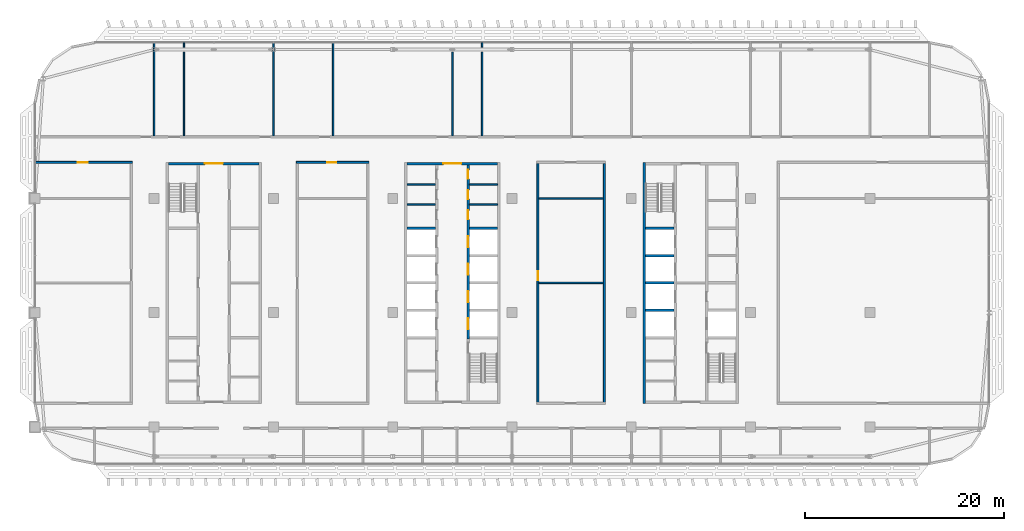
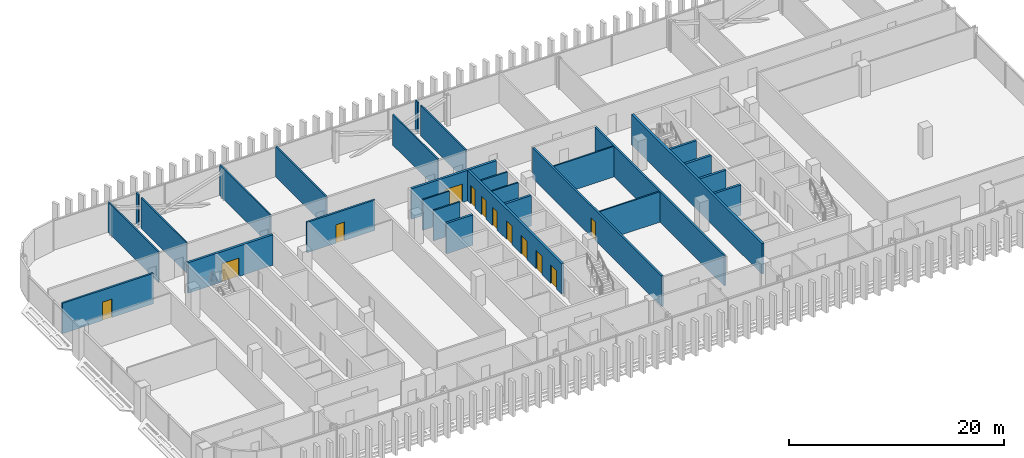
# One storey, part 19 of 34: 28 walls, 12 doors, 12 openings.
"""IFC4 building model written with IfcOpenShell, lengths in metres."""

from ifc_helpers import new_model, si_unit, direction, frame, frame_2d, origin, place, context, subcontext, project, spatial, rectangle, extrude, material, layer, layer_set, type_object, element, fill, save


model = new_model("IFC4")

# Units and contexts
model_context = context("Model", 3, precision=1e-05, world=origin(), true_north=direction((0.0, 1.0)))
body_context = subcontext(model_context, "Body", "Model", "MODEL_VIEW")
ifc_project = project(units=[si_unit("LENGTHUNIT", "METRE"), si_unit("AREAUNIT", "SQUARE_METRE"), si_unit("VOLUMEUNIT", "CUBIC_METRE"), si_unit("PLANEANGLEUNIT", "RADIAN"), si_unit("MASSUNIT", "GRAM", prefix="KILO")], contexts=[model_context])

# Site, building, storey
site_placement = place(None, origin())
site = spatial("IfcSite", under=ifc_project, at=site_placement, CompositionType="ELEMENT")
building_placement = place(site_placement, origin())
building = spatial("IfcBuilding", under=site, at=building_placement, Name="Mahtab Terrace Research Tower", CompositionType="ELEMENT")
storey_placement = place(building_placement, frame((0.0, 0.0, 247.60009765625)))
storey = spatial("IfcBuildingStorey", under=building, at=storey_placement, Name="L60", CompositionType="ELEMENT", Elevation=247.60009765625)

# Walls
ifc_material_1 = material(Name="Gypsum board partition")
ifc_layer_1 = layer(ifc_material_1, 0.14990234375)
ifc_layer_set_1 = layer_set([ifc_layer_1], Name="Core partition 150")
wall_type_1 = type_object("IfcWallType", Name="Core partition 150", PredefinedType="PARTITIONING", material=ifc_layer_set_1)
for number, where, z_axis, x_axis, name in (
    (1, (-4.550048828125, 10.875, 0.0), (0.0, 0.0, 1.0), (1.0, 0.0, 0.0), "Core wall B pWN788"),
    (2, (-4.550048828125, 12.875, 0.0), (0.0, 0.0, 1.0), (1.0, 0.0, 0.0), "Core wall B pWN988"),
    (3, (1.699951171875, 10.875, 0.0), (0.0, 0.0, 1.0), (1.0, 0.0, 0.0), "Core wall B pEN788"),
    (4, (1.699951171875, 12.875, 0.0), (0.0, 0.0, 1.0), (1.0, 0.0, 0.0), "Core wall B pEN988"),
):
    element("IfcWall", number, at=place(storey_placement, frame(where, z_axis=z_axis, x_axis=x_axis)), inside=storey, type_object=wall_type_1, Name=name, PredefinedType="PARTITIONING", context=body_context, shape_type="SweptSolid", body=[
        extrude(rectangle(XDim=2.85009765625, YDim=0.14990234375, at=frame_2d((1.425048828125, 0.0))), origin(), (0.0, 0.0, 1.0), 3.4599609375),
    ])

# Wall, opening, door
ifc_material_2 = material(Name="Concrete C70/85", Category="concrete")
ifc_layer_2 = layer(ifc_material_2, 0.25)
ifc_layer_set_2 = layer_set([ifc_layer_2], Name="Core wall 250")
wall_type_2 = type_object("IfcWallType", Name="Core wall 250", PredefinedType="SOLIDWALL", material=ifc_layer_set_2)
wall_1_placement = place(storey_placement, frame((-28.550048828125, 15.0, 0.0), z_axis=(0.0, 0.0, 1.0), x_axis=(1.0, 0.0, 0.0)))
wall_1 = element("IfcWall", 5, at=wall_1_placement, inside=storey, type_object=wall_type_2, Name="Core wall A endN", PredefinedType="SOLIDWALL", context=body_context, shape_type="SweptSolid", body=[
    extrude(rectangle(XDim=9.10009765625, YDim=0.25, at=frame_2d((4.550048828125, 0.0))), origin(), (0.0, 0.0, 1.0), 3.4599609375),
])
opening_1_placement = place(wall_1_placement, frame((3.64990234375, 0.0, 0.0)))
opening_1 = element("IfcOpeningElement", 6, at=opening_1_placement, cuts=wall_1, Name="Opening A-N1", PredefinedType="OPENING", context=body_context, shape_type="SweptSolid", body=[
    extrude(rectangle(XDim=1.800048828125, YDim=2.10009765625, at=frame_2d((0.89990234375, 1.050048828125))), frame((0.0, 0.135009765625, 0.0), z_axis=(0.0, -1.0, 0.0), x_axis=(1.0, 0.0, 0.0)), (0.0, 0.0, 1.0), 0.27001953125),
])
ifc_material_3 = material(Name="Steel fire door", Category="steel")
door_type_1 = type_object("IfcDoorType", Name="Lobby double door 1800x2100 1 HR", OperationType="DOUBLE_DOOR_SINGLE_SWING", PredefinedType="DOOR", material=ifc_material_3)
door_1_placement = place(opening_1_placement, origin())
door_1 = element("IfcDoor", 7, at=door_1_placement, inside=storey, type_object=door_type_1, Name="Core entrance door A N", OperationType="DOUBLE_DOOR_SINGLE_SWING", OverallHeight=2.10009765625, OverallWidth=1.800048828125, PredefinedType="DOOR", context=body_context, shape_type="SweptSolid", body=[
    extrude(rectangle(XDim=1.800048828125, YDim=2.10009765625, at=frame_2d((0.89990234375, 1.050048828125))), frame((0.0, 0.02490234375, 0.0), z_axis=(0.0, -1.0, 0.0), x_axis=(1.0, 0.0, 0.0)), (0.0, 0.0, 1.0), 0.050048828125),
])
fill(opening_1, door_1)

wall_2_placement = place(storey_placement, frame((-4.550048828125, 15.0, 0.0), z_axis=(0.0, 0.0, 1.0), x_axis=(1.0, 0.0, 0.0)))
wall_2 = element("IfcWall", 8, at=wall_2_placement, inside=storey, type_object=wall_type_2, Name="Core wall B endN", PredefinedType="SOLIDWALL", context=body_context, shape_type="SweptSolid", body=[
    extrude(rectangle(XDim=9.10009765625, YDim=0.25, at=frame_2d((4.550048828125, 0.0))), origin(), (0.0, 0.0, 1.0), 3.4599609375),
])
opening_2_placement = place(wall_2_placement, frame((3.64990234375, 0.0, 0.0)))
opening_2 = element("IfcOpeningElement", 9, at=opening_2_placement, cuts=wall_2, Name="Opening B-N1", PredefinedType="OPENING", context=body_context, shape_type="SweptSolid", body=[
    extrude(rectangle(XDim=1.800048828125, YDim=2.10009765625, at=frame_2d((0.89990234375, 1.050048828125))), frame((0.0, 0.135009765625, 0.0), z_axis=(0.0, -1.0, 0.0), x_axis=(1.0, 0.0, 0.0)), (0.0, 0.0, 1.0), 0.27001953125),
])
door_2_placement = place(opening_2_placement, origin())
door_2 = element("IfcDoor", 10, at=door_2_placement, inside=storey, type_object=door_type_1, Name="Core entrance door B N", OperationType="DOUBLE_DOOR_SINGLE_SWING", OverallHeight=2.10009765625, OverallWidth=1.800048828125, PredefinedType="DOOR", context=body_context, shape_type="SweptSolid", body=[
    extrude(rectangle(XDim=1.800048828125, YDim=2.10009765625, at=frame_2d((0.89990234375, 1.050048828125))), frame((0.0, 0.02490234375, 0.0), z_axis=(0.0, -1.0, 0.0), x_axis=(1.0, 0.0, 0.0)), (0.0, 0.0, 1.0), 0.050048828125),
])
fill(opening_2, door_2)

# Wall, openings, doors
wall_3_placement = place(storey_placement, frame((1.574951171875, 14.875, 0.0), z_axis=(0.0, 0.0, 1.0), x_axis=(0.0, -1.0, 0.0)))
wall_3 = element("IfcWall", 11, at=wall_3_placement, inside=storey, type_object=wall_type_2, Name="Core wall B innerELN", PredefinedType="SOLIDWALL", context=body_context, shape_type="SweptSolid", body=[
    extrude(rectangle(XDim=17.5, YDim=0.25, at=frame_2d((8.75, 0.0))), origin(), (0.0, 0.0, 1.0), 3.4599609375),
])
opening_3_placement = place(wall_3_placement, frame((15.449951171875, 0.0, 0.0)))
opening_3 = element("IfcOpeningElement", 12, at=opening_3_placement, cuts=wall_3, Name="Opening LD13-L60", PredefinedType="OPENING", context=body_context, shape_type="SweptSolid", body=[
    extrude(rectangle(XDim=1.10009765625, YDim=2.10009765625, at=frame_2d((0.550048828125, 1.050048828125))), frame((0.0, 0.135009765625, 0.0), z_axis=(0.0, -1.0, 0.0), x_axis=(1.0, 0.0, 0.0)), (0.0, 0.0, 1.0), 0.27001953125),
])
opening_4_placement = place(wall_3_placement, frame((12.699951171875, 0.0, 0.0)))
opening_4 = element("IfcOpeningElement", 13, at=opening_4_placement, cuts=wall_3, Name="Opening LD14-L60", PredefinedType="OPENING", context=body_context, shape_type="SweptSolid", body=[
    extrude(rectangle(XDim=1.10009765625, YDim=2.10009765625, at=frame_2d((0.550048828125, 1.050048828125))), frame((0.0, 0.135009765625, 0.0), z_axis=(0.0, -1.0, 0.0), x_axis=(1.0, 0.0, 0.0)), (0.0, 0.0, 1.0), 0.27001953125),
])
opening_5_placement = place(wall_3_placement, frame((9.949951171875, 0.0, 0.0)))
opening_5 = element("IfcOpeningElement", 14, at=opening_5_placement, cuts=wall_3, Name="Opening LD15-L60", PredefinedType="OPENING", context=body_context, shape_type="SweptSolid", body=[
    extrude(rectangle(XDim=1.10009765625, YDim=2.10009765625, at=frame_2d((0.550048828125, 1.050048828125))), frame((0.0, 0.135009765625, 0.0), z_axis=(0.0, -1.0, 0.0), x_axis=(1.0, 0.0, 0.0)), (0.0, 0.0, 1.0), 0.27001953125),
])
opening_6_placement = place(wall_3_placement, frame((7.199951171875, 0.0, 0.0)))
opening_6 = element("IfcOpeningElement", 15, at=opening_6_placement, cuts=wall_3, Name="Opening LD16-L60", PredefinedType="OPENING", context=body_context, shape_type="SweptSolid", body=[
    extrude(rectangle(XDim=1.10009765625, YDim=2.10009765625, at=frame_2d((0.550048828125, 1.050048828125))), frame((0.0, 0.135009765625, 0.0), z_axis=(0.0, -1.0, 0.0), x_axis=(1.0, 0.0, 0.0)), (0.0, 0.0, 1.0), 0.27001953125),
])
opening_7_placement = place(wall_3_placement, frame((4.58740234375, 0.0, 0.0)))
opening_7 = element("IfcOpeningElement", 16, at=opening_7_placement, cuts=wall_3, Name="Opening B-R6", PredefinedType="OPENING", context=body_context, shape_type="SweptSolid", body=[
    extrude(rectangle(XDim=0.89990234375, YDim=2.10009765625, at=frame_2d((0.449951171875, 1.050048828125))), frame((0.0, 0.135009765625, 0.0), z_axis=(0.0, -1.0, 0.0), x_axis=(1.0, 0.0, 0.0)), (0.0, 0.0, 1.0), 0.27001953125),
])
opening_8_placement = place(wall_3_placement, frame((2.550048828125, 0.0, 0.0)))
opening_8 = element("IfcOpeningElement", 17, at=opening_8_placement, cuts=wall_3, Name="Opening B-R7", PredefinedType="OPENING", context=body_context, shape_type="SweptSolid", body=[
    extrude(rectangle(XDim=0.89990234375, YDim=2.10009765625, at=frame_2d((0.449951171875, 1.050048828125))), frame((0.0, 0.135009765625, 0.0), z_axis=(0.0, -1.0, 0.0), x_axis=(1.0, 0.0, 0.0)), (0.0, 0.0, 1.0), 0.27001953125),
])
opening_9_placement = place(wall_3_placement, frame((0.512451171875, 0.0, 0.0)))
opening_9 = element("IfcOpeningElement", 18, at=opening_9_placement, cuts=wall_3, Name="Opening B-R8", PredefinedType="OPENING", context=body_context, shape_type="SweptSolid", body=[
    extrude(rectangle(XDim=0.89990234375, YDim=2.10009765625, at=frame_2d((0.449951171875, 1.050048828125))), frame((0.0, 0.135009765625, 0.0), z_axis=(0.0, -1.0, 0.0), x_axis=(1.0, 0.0, 0.0)), (0.0, 0.0, 1.0), 0.27001953125),
])
ifc_material_4 = material(Name="Stainless steel AISI 304", Category="steel")
door_type_2 = type_object("IfcDoorType", Name="Landing door 1100x2100", OperationType="DOUBLE_DOOR_SLIDING", PredefinedType="DOOR", material=ifc_material_4)
door_3_placement = place(opening_3_placement, origin())
door_3 = element("IfcDoor", 19, at=door_3_placement, inside=storey, type_object=door_type_2, Name="Landing door HR5 L60", OperationType="DOUBLE_DOOR_SLIDING", OverallHeight=2.10009765625, OverallWidth=1.10009765625, PredefinedType="DOOR", context=body_context, shape_type="SweptSolid", body=[
    extrude(rectangle(XDim=1.10009765625, YDim=2.10009765625, at=frame_2d((0.550048828125, 1.050048828125))), frame((0.0, 0.02490234375, 0.0), z_axis=(0.0, -1.0, 0.0), x_axis=(1.0, 0.0, 0.0)), (0.0, 0.0, 1.0), 0.050048828125),
])
fill(opening_3, door_3)
door_4_placement = place(opening_4_placement, origin())
door_4 = element("IfcDoor", 20, at=door_4_placement, inside=storey, type_object=door_type_2, Name="Landing door HR6 L60", OperationType="DOUBLE_DOOR_SLIDING", OverallHeight=2.10009765625, OverallWidth=1.10009765625, PredefinedType="DOOR", context=body_context, shape_type="SweptSolid", body=[
    extrude(rectangle(XDim=1.10009765625, YDim=2.10009765625, at=frame_2d((0.550048828125, 1.050048828125))), frame((0.0, 0.02490234375, 0.0), z_axis=(0.0, -1.0, 0.0), x_axis=(1.0, 0.0, 0.0)), (0.0, 0.0, 1.0), 0.050048828125),
])
fill(opening_4, door_4)
door_5_placement = place(opening_5_placement, origin())
door_5 = element("IfcDoor", 21, at=door_5_placement, inside=storey, type_object=door_type_2, Name="Landing door HR7 L60", OperationType="DOUBLE_DOOR_SLIDING", OverallHeight=2.10009765625, OverallWidth=1.10009765625, PredefinedType="DOOR", context=body_context, shape_type="SweptSolid", body=[
    extrude(rectangle(XDim=1.10009765625, YDim=2.10009765625, at=frame_2d((0.550048828125, 1.050048828125))), frame((0.0, 0.02490234375, 0.0), z_axis=(0.0, -1.0, 0.0), x_axis=(1.0, 0.0, 0.0)), (0.0, 0.0, 1.0), 0.050048828125),
])
fill(opening_5, door_5)
door_6_placement = place(opening_6_placement, origin())
door_6 = element("IfcDoor", 22, at=door_6_placement, inside=storey, type_object=door_type_2, Name="Landing door HR8 L60", OperationType="DOUBLE_DOOR_SLIDING", OverallHeight=2.10009765625, OverallWidth=1.10009765625, PredefinedType="DOOR", context=body_context, shape_type="SweptSolid", body=[
    extrude(rectangle(XDim=1.10009765625, YDim=2.10009765625, at=frame_2d((0.550048828125, 1.050048828125))), frame((0.0, 0.02490234375, 0.0), z_axis=(0.0, -1.0, 0.0), x_axis=(1.0, 0.0, 0.0)), (0.0, 0.0, 1.0), 0.050048828125),
])
fill(opening_6, door_6)
door_type_3 = type_object("IfcDoorType", Name="Room door 900x2100 1 HR", OperationType="NOTDEFINED", PredefinedType="DOOR", material=ifc_material_3)
door_7_placement = place(opening_7_placement, origin())
door_7 = element("IfcDoor", 23, at=door_7_placement, inside=storey, type_object=door_type_3, Name="Male WC door", OperationType="SINGLE_SWING_RIGHT", OverallHeight=2.10009765625, OverallWidth=0.89990234375, PredefinedType="DOOR", context=body_context, shape_type="SweptSolid", body=[
    extrude(rectangle(XDim=0.89990234375, YDim=2.10009765625, at=frame_2d((0.449951171875, 1.050048828125))), frame((0.0, 0.02490234375, 0.0), z_axis=(0.0, -1.0, 0.0), x_axis=(1.0, 0.0, 0.0)), (0.0, 0.0, 1.0), 0.050048828125),
])
fill(opening_7, door_7)
door_8_placement = place(opening_8_placement, origin())
door_8 = element("IfcDoor", 24, at=door_8_placement, inside=storey, type_object=door_type_3, Name="Female WC door", OperationType="SINGLE_SWING_LEFT", OverallHeight=2.10009765625, OverallWidth=0.89990234375, PredefinedType="DOOR", context=body_context, shape_type="SweptSolid", body=[
    extrude(rectangle(XDim=0.89990234375, YDim=2.10009765625, at=frame_2d((0.449951171875, 1.050048828125))), frame((0.0, 0.02490234375, 0.0), z_axis=(0.0, -1.0, 0.0), x_axis=(1.0, 0.0, 0.0)), (0.0, 0.0, 1.0), 0.050048828125),
])
fill(opening_8, door_8)
door_9_placement = place(opening_9_placement, origin())
door_9 = element("IfcDoor", 25, at=door_9_placement, inside=storey, type_object=door_type_3, Name="Accessible WC door", OperationType="SINGLE_SWING_RIGHT", OverallHeight=2.10009765625, OverallWidth=0.89990234375, PredefinedType="DOOR", context=body_context, shape_type="SweptSolid", body=[
    extrude(rectangle(XDim=0.89990234375, YDim=2.10009765625, at=frame_2d((0.449951171875, 1.050048828125))), frame((0.0, 0.02490234375, 0.0), z_axis=(0.0, -1.0, 0.0), x_axis=(1.0, 0.0, 0.0)), (0.0, 0.0, 1.0), 0.050048828125),
])
fill(opening_9, door_9)

# Walls
for number, where, z_axis, x_axis, name in (
    (26, (-4.550048828125, 8.5, 0.0), (0.0, 0.0, 1.0), (1.0, 0.0, 0.0), "Core wall B divW4"),
    (27, (1.699951171875, 8.5, 0.0), (0.0, 0.0, 1.0), (1.0, 0.0, 0.0), "Core wall B divE4"),
):
    element("IfcWall", number, at=place(storey_placement, frame(where, z_axis=z_axis, x_axis=x_axis)), inside=storey, type_object=wall_type_2, Name=name, PredefinedType="SOLIDWALL", context=body_context, shape_type="SweptSolid", body=[
        extrude(rectangle(XDim=2.85009765625, YDim=0.25, at=frame_2d((1.425048828125, 0.0))), origin(), (0.0, 0.0, 1.0), 3.4599609375),
    ])
wall_4_placement = place(storey_placement, frame((19.324951171875, 15.125, 0.0), z_axis=(0.0, 0.0, 1.0), x_axis=(0.0, -1.0, 0.0)))
element("IfcWall", 28, at=wall_4_placement, inside=storey, type_object=wall_type_2, Name="Core wall C outerW", PredefinedType="SOLIDWALL", context=body_context, shape_type="SweptSolid", body=[
    extrude(rectangle(XDim=24.25, YDim=0.25, at=frame_2d((12.125, 0.0))), origin(), (0.0, 0.0, 1.0), 3.4599609375),
])
for number, where, z_axis, x_axis, name in (
    (29, (19.449951171875, 0.25, 0.0), (0.0, 0.0, 1.0), (1.0, 0.0, 0.0), "Core wall C divW1"),
    (30, (19.449951171875, 3.0, 0.0), (0.0, 0.0, 1.0), (1.0, 0.0, 0.0), "Core wall C divW2"),
    (31, (19.449951171875, 5.75, 0.0), (0.0, 0.0, 1.0), (1.0, 0.0, 0.0), "Core wall C divW3"),
    (32, (19.449951171875, 8.5, 0.0), (0.0, 0.0, 1.0), (1.0, 0.0, 0.0), "Core wall C divW4"),
):
    element("IfcWall", number, at=place(storey_placement, frame(where, z_axis=z_axis, x_axis=x_axis)), inside=storey, type_object=wall_type_2, Name=name, PredefinedType="SOLIDWALL", context=body_context, shape_type="SweptSolid", body=[
        extrude(rectangle(XDim=2.85009765625, YDim=0.25, at=frame_2d((1.425048828125, 0.0))), origin(), (0.0, 0.0, 1.0), 3.4599609375),
    ])

# Wall, opening, door
ifc_material_5 = material(Name="Gypsum board corridor wall on steel studs", Category="steel")
ifc_layer_3 = layer(ifc_material_5, 0.199951171875)
ifc_layer_set_3 = layer_set([ifc_layer_3], Name="WALL CORRIDOR 200")
wall_type_3 = type_object("IfcWallType", Name="WALL CORRIDOR 200", PredefinedType="PARTITIONING", material=ifc_layer_set_3)
wall_5_placement = place(storey_placement, frame((-41.97509765625, 15.125, 0.0), z_axis=(0.0, 0.0, 1.0), x_axis=(1.0, 0.0, 0.0)))
wall_5 = element("IfcWall", 33, at=wall_5_placement, inside=storey, type_object=wall_type_3, Name="L60-W021", PredefinedType="PARTITIONING", context=body_context, shape_type="SweptSolid", body=[
    extrude(rectangle(XDim=9.775146484375, YDim=0.199951171875, at=frame_2d((4.8876953125, 0.0))), origin(), (0.0, 0.0, 1.0), 3.4599609375),
])
opening_10_placement = place(wall_5_placement, frame((4.300048828125, 0.0, 0.0)))
opening_10 = element("IfcOpeningElement", 34, at=opening_10_placement, cuts=wall_5, Name="Opening L60-123", PredefinedType="OPENING", context=body_context, shape_type="SweptSolid", body=[
    extrude(rectangle(XDim=1.0, YDim=2.10009765625, at=frame_2d((0.5, 1.050048828125))), frame((0.0, 0.10986328125, 0.0), z_axis=(0.0, -1.0, 0.0), x_axis=(1.0, 0.0, 0.0)), (0.0, 0.0, 1.0), 0.219970703125),
])
ifc_material_6 = material(Name="Timber door leaf in steel frame", Category="steel")
door_type_4 = type_object("IfcDoorType", Name="DOOR 1000X2100 FD30S", OperationType="SINGLE_SWING_LEFT", PredefinedType="DOOR", material=ifc_material_6)
door_10_placement = place(opening_10_placement, origin())
door_10 = element("IfcDoor", 35, at=door_10_placement, inside=storey, type_object=door_type_4, Name="Door L60-123", OperationType="SINGLE_SWING_RIGHT", OverallHeight=2.10009765625, OverallWidth=1.0, PredefinedType="DOOR", context=body_context, shape_type="SweptSolid", body=[
    extrude(rectangle(XDim=1.0, YDim=2.10009765625, at=frame_2d((0.5, 1.050048828125))), frame((0.0, 0.02490234375, 0.0), z_axis=(0.0, -1.0, 0.0), x_axis=(1.0, 0.0, 0.0)), (0.0, 0.0, 1.0), 0.050048828125),
])
fill(opening_10, door_10)

wall_6_placement = place(storey_placement, frame((-15.699951171875, 15.125, 0.0), z_axis=(0.0, 0.0, 1.0), x_axis=(1.0, 0.0, 0.0)))
wall_6 = element("IfcWall", 36, at=wall_6_placement, inside=storey, type_object=wall_type_3, Name="L60-W022", PredefinedType="PARTITIONING", context=body_context, shape_type="SweptSolid", body=[
    extrude(rectangle(XDim=7.300048828125, YDim=0.199951171875, at=frame_2d((3.64990234375, 0.0))), origin(), (0.0, 0.0, 1.0), 3.4599609375),
])
opening_11_placement = place(wall_6_placement, frame((3.10009765625, 0.0, 0.0)))
opening_11 = element("IfcOpeningElement", 37, at=opening_11_placement, cuts=wall_6, Name="Opening L60-124", PredefinedType="OPENING", context=body_context, shape_type="SweptSolid", body=[
    extrude(rectangle(XDim=0.89990234375, YDim=2.10009765625, at=frame_2d((0.449951171875, 1.050048828125))), frame((0.0, 0.10986328125, 0.0), z_axis=(0.0, -1.0, 0.0), x_axis=(1.0, 0.0, 0.0)), (0.0, 0.0, 1.0), 0.219970703125),
])
door_type_5 = type_object("IfcDoorType", Name="DOOR 0900X2100 FD30S", OperationType="SINGLE_SWING_LEFT", PredefinedType="DOOR", material=ifc_material_6)
door_11_placement = place(opening_11_placement, origin())
door_11 = element("IfcDoor", 38, at=door_11_placement, inside=storey, type_object=door_type_5, Name="Door L60-124", OperationType="SINGLE_SWING_RIGHT", OverallHeight=2.10009765625, OverallWidth=0.89990234375, PredefinedType="DOOR", context=body_context, shape_type="SweptSolid", body=[
    extrude(rectangle(XDim=0.89990234375, YDim=2.10009765625, at=frame_2d((0.449951171875, 1.050048828125))), frame((0.0, 0.02490234375, 0.0), z_axis=(0.0, -1.0, 0.0), x_axis=(1.0, 0.0, 0.0)), (0.0, 0.0, 1.0), 0.050048828125),
])
fill(opening_11, door_11)

wall_7_placement = place(storey_placement, frame((8.60009765625, -9.02490234375, 0.0), z_axis=(0.0, 0.0, 1.0), x_axis=(0.0, 1.0, 0.0)))
wall_7 = element("IfcWall", 39, at=wall_7_placement, inside=storey, type_object=wall_type_3, Name="L60-W045", PredefinedType="PARTITIONING", context=body_context, shape_type="SweptSolid", body=[
    extrude(rectangle(XDim=24.0498046875, YDim=0.199951171875, at=frame_2d((12.02490234375, 0.0))), origin(), (0.0, 0.0, 1.0), 3.4599609375),
])
opening_12_placement = place(wall_7_placement, frame((12.300048828125, 0.0, 0.0)))
opening_12 = element("IfcOpeningElement", 40, at=opening_12_placement, cuts=wall_7, Name="Opening L60-122", PredefinedType="OPENING", context=body_context, shape_type="SweptSolid", body=[
    extrude(rectangle(XDim=0.89990234375, YDim=2.10009765625, at=frame_2d((0.449951171875, 1.050048828125))), frame((0.0, 0.10986328125, 0.0), z_axis=(0.0, -1.0, 0.0), x_axis=(1.0, 0.0, 0.0)), (0.0, 0.0, 1.0), 0.219970703125),
])
door_12_placement = place(opening_12_placement, origin())
door_12 = element("IfcDoor", 41, at=door_12_placement, inside=storey, type_object=door_type_5, Name="Door L60-122", OperationType="SINGLE_SWING_LEFT", OverallHeight=2.10009765625, OverallWidth=0.89990234375, PredefinedType="DOOR", context=body_context, shape_type="SweptSolid", body=[
    extrude(rectangle(XDim=0.89990234375, YDim=2.10009765625, at=frame_2d((0.449951171875, 1.050048828125))), frame((0.0, 0.02490234375, 0.0), z_axis=(0.0, -1.0, 0.0), x_axis=(1.0, 0.0, 0.0)), (0.0, 0.0, 1.0), 0.050048828125),
])
fill(opening_12, door_12)

# Walls
wall_8_placement = place(storey_placement, frame((15.300048828125, -9.02490234375, 0.0), z_axis=(0.0, 0.0, 1.0), x_axis=(0.0, 1.0, 0.0)))
element("IfcWall", 42, at=wall_8_placement, inside=storey, type_object=wall_type_3, Name="L60-W048", PredefinedType="PARTITIONING", context=body_context, shape_type="SweptSolid", body=[
    extrude(rectangle(XDim=24.0498046875, YDim=0.199951171875, at=frame_2d((12.02490234375, 0.0))), origin(), (0.0, 0.0, 1.0), 3.4599609375),
])
ifc_material_7 = material(Name="Gypsum board partition on steel studs", Category="steel")
ifc_layer_4 = layer(ifc_material_7, 0.14990234375)
ifc_layer_set_4 = layer_set([ifc_layer_4], Name="WALL PARTITION 150")
wall_type_4 = type_object("IfcWallType", Name="WALL PARTITION 150", PredefinedType="PARTITIONING", material=ifc_layer_set_4)
for number, where, z_axis, x_axis, name in (
    (43, (8.699951171875, 3.0, 0.0), (0.0, 0.0, 1.0), (1.0, 0.0, 0.0), "L60-W015"),
    (44, (8.699951171875, 11.5, 0.0), (0.0, 0.0, 1.0), (1.0, 0.0, 0.0), "L60-W018"),
):
    element("IfcWall", number, at=place(storey_placement, frame(where, z_axis=z_axis, x_axis=x_axis)), inside=storey, type_object=wall_type_4, Name=name, PredefinedType="PARTITIONING", context=body_context, shape_type="SweptSolid", body=[
        extrude(rectangle(XDim=6.5, YDim=0.14990234375, at=frame_2d((3.25, 0.0))), origin(), (0.0, 0.0, 1.0), 3.4599609375),
    ])
wall_9_placement = place(storey_placement, frame((-30.0, 17.800048828125, 0.0), z_axis=(0.0, 0.0, 1.0), x_axis=(0.0, 1.0, 0.0)))
element("IfcWall", 45, at=wall_9_placement, inside=storey, type_object=wall_type_4, Name="L60-W029", PredefinedType="PARTITIONING", context=body_context, shape_type="SweptSolid", body=[
    extrude(rectangle(XDim=9.369873046875, YDim=0.14990234375, at=frame_2d((4.68505859375, 0.0))), origin(), (0.0, 0.0, 1.0), 3.4599609375),
])
wall_10_placement = place(storey_placement, frame((-27.0, 17.800048828125, 0.0), z_axis=(0.0, 0.0, 1.0), x_axis=(0.0, 1.0, 0.0)))
element("IfcWall", 46, at=wall_10_placement, inside=storey, type_object=wall_type_4, Name="L60-W030", PredefinedType="PARTITIONING", context=body_context, shape_type="SweptSolid", body=[
    extrude(rectangle(XDim=8.420654296875, YDim=0.14990234375, at=frame_2d((4.21044921875, 0.0))), origin(), (0.0, 0.0, 1.0), 3.4599609375),
])
wall_11_placement = place(storey_placement, frame((-27.0, 26.725341796875, 0.0), z_axis=(0.0, 0.0, 1.0), x_axis=(0.0, 1.0, 0.0)))
element("IfcWall", 47, at=wall_11_placement, inside=storey, type_object=wall_type_4, Name="L60-W031", PredefinedType="PARTITIONING", context=body_context, shape_type="SweptSolid", body=[
    extrude(rectangle(XDim=0.444580078125, YDim=0.14990234375, at=frame_2d((0.22216796875, 0.0))), origin(), (0.0, 0.0, 1.0), 3.4599609375),
])
for number, where, z_axis, x_axis, name in (
    (48, (-18.0, 17.800048828125, 0.0), (0.0, 0.0, 1.0), (0.0, 1.0, 0.0), "L60-W033"),
    (49, (-12.0, 17.800048828125, 0.0), (0.0, 0.0, 1.0), (0.0, 1.0, 0.0), "L60-W036"),
):
    element("IfcWall", number, at=place(storey_placement, frame(where, z_axis=z_axis, x_axis=x_axis)), inside=storey, type_object=wall_type_4, Name=name, PredefinedType="PARTITIONING", context=body_context, shape_type="SweptSolid", body=[
        extrude(rectangle(XDim=9.369873046875, YDim=0.14990234375, at=frame_2d((4.68505859375, 0.0))), origin(), (0.0, 0.0, 1.0), 3.4599609375),
    ])
for number, where, z_axis, x_axis, name in (
    (50, (0.0, 17.800048828125, 0.0), (0.0, 0.0, 1.0), (0.0, 1.0, 0.0), "L60-W040"),
    (51, (3.0, 17.800048828125, 0.0), (0.0, 0.0, 1.0), (0.0, 1.0, 0.0), "L60-W042"),
):
    element("IfcWall", number, at=place(storey_placement, frame(where, z_axis=z_axis, x_axis=x_axis)), inside=storey, type_object=wall_type_4, Name=name, PredefinedType="PARTITIONING", context=body_context, shape_type="SweptSolid", body=[
        extrude(rectangle(XDim=8.420654296875, YDim=0.14990234375, at=frame_2d((4.21044921875, 0.0))), origin(), (0.0, 0.0, 1.0), 3.4599609375),
    ])
wall_12_placement = place(storey_placement, frame((3.0, 26.725341796875, 0.0), z_axis=(0.0, 0.0, 1.0), x_axis=(0.0, 1.0, 0.0)))
element("IfcWall", 52, at=wall_12_placement, inside=storey, type_object=wall_type_4, Name="L60-W043", PredefinedType="PARTITIONING", context=body_context, shape_type="SweptSolid", body=[
    extrude(rectangle(XDim=0.444580078125, YDim=0.14990234375, at=frame_2d((0.22216796875, 0.0))), origin(), (0.0, 0.0, 1.0), 3.4599609375),
])

save(model, "model.ifc")
